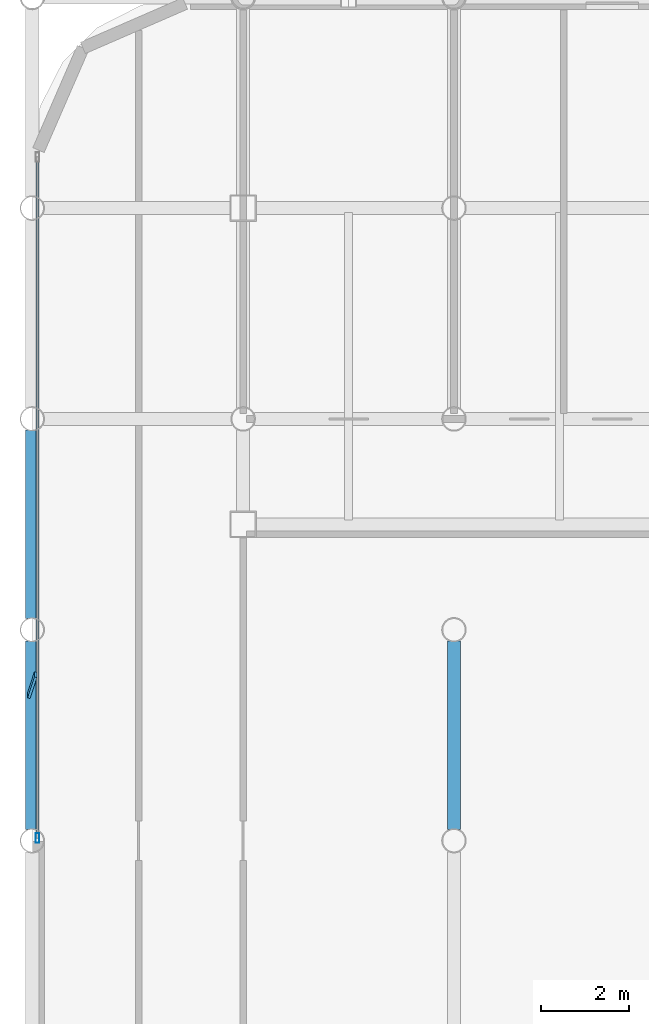
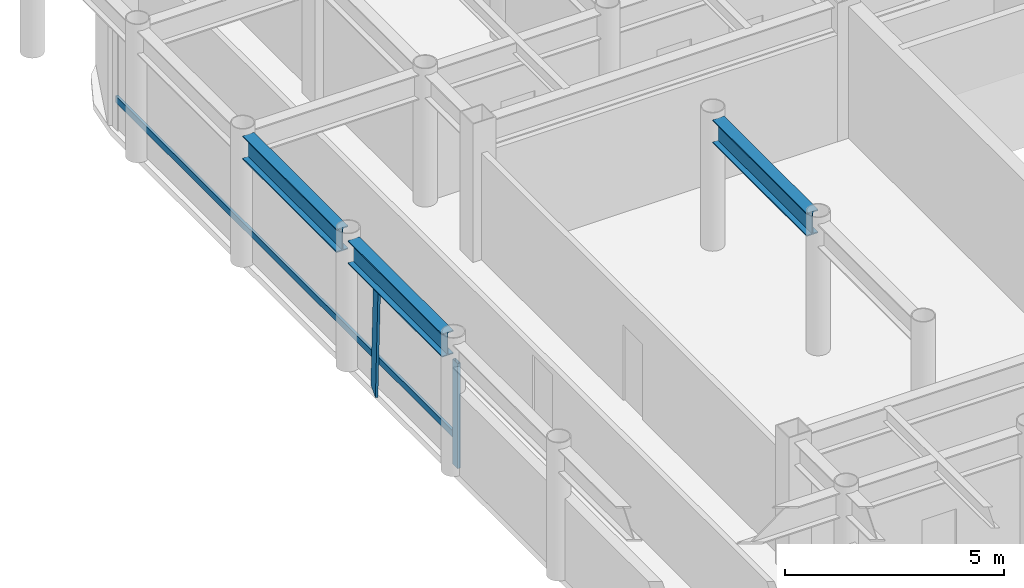
# One storey, part 6 of 23: 3 beams, 3 members, 1 element without a shape of its own.
"""IFC4 building model written with IfcOpenShell, lengths in metres."""

from ifc_helpers import new_model, si_unit, direction, frame, origin, origin_2d, place, context, subcontext, project, spatial, rectangle, hollow_rectangle, i_section, extrude, material, layer, layer_set, material_profile, profile_set, type_object, element, aggregate, save


model = new_model("IFC4")

# Units and contexts
model_context = context("Model", 3, precision=1e-05, world=origin(), true_north=direction((0.0, 1.0)))
body_context = subcontext(model_context, "Body", "Model", "MODEL_VIEW")
ifc_project = project(units=[si_unit("LENGTHUNIT", "METRE"), si_unit("AREAUNIT", "SQUARE_METRE"), si_unit("VOLUMEUNIT", "CUBIC_METRE"), si_unit("PLANEANGLEUNIT", "RADIAN"), si_unit("MASSUNIT", "GRAM", prefix="KILO")], contexts=[model_context])

# Site, building, storey
site_placement = place(None, origin())
site = spatial("IfcSite", under=ifc_project, at=site_placement, CompositionType="ELEMENT")
building_placement = place(site_placement, origin())
building = spatial("IfcBuilding", under=site, at=building_placement, Name="Kallvorn Hotel Tower", CompositionType="ELEMENT")
storey_placement = place(building_placement, frame((0.0, 0.0, 195.35009765625)))
storey = spatial("IfcBuildingStorey", under=building, at=storey_placement, Name="L48", CompositionType="ELEMENT", Elevation=195.35009765625)

# Beams
ifc_material_1 = material(Name="Structural steel S355JR", Category="steel")
ifc_material_profile_1 = material_profile(ifc_material_1, i_section(OverallWidth=0.300048828125, OverallDepth=0.64990234375, WebThickness=0.01611328125, FlangeThickness=0.031005859375, at=origin_2d()), Name="HE 650 B")
ifc_profile_set_1 = profile_set([ifc_material_profile_1], Name="Structural steel S355JR")
beam_type = type_object("IfcBeamType", Name="BM_HE650B", PredefinedType="BEAM", material=ifc_profile_set_1)
for number, where, z_axis, x_axis, name in (
    (1, (-28.800048828125, 0.25439453125, 3.344970703125), (0.0, 1.0, 0.0), (-1.0, 0.0, 0.0), "L49 Primary Y-Girder 77"),
    (2, (-28.800048828125, 5.054443359375, 3.344970703125), (0.0, 1.0, 0.0), (-1.0, 0.0, 0.0), "L49 Primary Y-Girder 78"),
    (3, (-19.199951171875, 0.25439453125, 3.344970703125), (0.0, 1.0, 0.0), (-1.0, 0.0, 0.0), "L49 Primary Y-Girder 93"),
):
    element("IfcBeam", number, at=place(storey_placement, frame(where, z_axis=z_axis, x_axis=x_axis)), inside=storey, type_object=beam_type, Name=name, PredefinedType="BEAM", context=body_context, shape_type="SweptSolid", body=[
        extrude(i_section(OverallWidth=0.300048828125, OverallDepth=0.64990234375, WebThickness=0.01611328125, FlangeThickness=0.031005859375, at=origin_2d()), origin(), (0.0, 0.0, 1.0), 4.291015625),
    ])

# Curtain wall, members
ifc_material_2 = material(Name="Thermally broken black-anodised aluminium AA 6063-T6", Category="aluminium")
ifc_layer = layer(ifc_material_2, 0.22998046875)
ifc_layer_set = layer_set([ifc_layer], Name="CW_SYS_5_HOTEL_HIGH")
curtain_wall_type = type_object("IfcCurtainWallType", Name="CW_SYS_5_HOTEL_HIGH", PredefinedType="USERDEFINED", material=ifc_layer_set)
curtain_wall_placement = place(storey_placement, origin())
curtain_wall = element("IfcCurtainWall", 4, at=curtain_wall_placement, inside=storey, type_object=curtain_wall_type, Name="L48 Dark-Glass Curtain Wall CW-L48-WN", ObjectType="UNITISED CURTAIN WALL", PredefinedType="USERDEFINED")
ifc_material_3 = material(Name="Thermally broken black-anodised aluminium AA 6063-T6", Category="aluminium")
ifc_material_profile_2 = material_profile(ifc_material_3, hollow_rectangle(XDim=0.080078125, YDim=0.219970703125, WallThickness=0.0048828125, at=origin_2d()), Name="MUL 220x80")
ifc_profile_set_2 = profile_set([ifc_material_profile_2], Name="Thermally broken black-anodised aluminium AA 6063-T6")
member_type_1 = type_object("IfcMemberType", Name="CW_MULLION_220x80", PredefinedType="MULLION", material=ifc_profile_set_2)
member_1_placement = place(storey_placement, frame((-28.679931640625, 0.06005859375, 0.02001953125), z_axis=(0.0, 0.0, 1.0), x_axis=(1.0, 0.0, 0.0)))
member_1 = element("IfcMember", 5, at=member_1_placement, type_object=member_type_1, Name="CW-L48-WN Mullion 00", PredefinedType="MULLION", context=body_context, shape_type="SweptSolid", body=[
    extrude(hollow_rectangle(XDim=0.080078125, YDim=0.219970703125, WallThickness=0.0048828125, at=origin_2d()), origin(), (0.0, 0.0, 1.0), 2.929931640625),
])
ifc_material_4 = material(Name="Thermally broken black-anodised aluminium AA 6063-T6", Category="aluminium")
ifc_material_profile_3 = material_profile(ifc_material_4, hollow_rectangle(XDim=0.070068359375, YDim=0.179931640625, WallThickness=0.00390625, at=origin_2d()), Name="TRN 180x70")
ifc_profile_set_3 = profile_set([ifc_material_profile_3], Name="Thermally broken black-anodised aluminium AA 6063-T6")
member_type_2 = type_object("IfcMemberType", Name="CW_TRANSOM_180x70", PredefinedType="USERDEFINED", material=ifc_profile_set_3)
member_2_placement = place(storey_placement, frame((-28.679931640625, 0.06005859375, 0.849853515625), z_axis=(0.0, 1.0, 0.0), x_axis=(-1.0, 0.0, 0.0)))
member_2 = element("IfcMember", 6, at=member_2_placement, type_object=member_type_2, Name="CW-L48-WN Transom 00M", ObjectType="TRANSOM", PredefinedType="USERDEFINED", context=body_context, shape_type="SweptSolid", body=[
    extrude(hollow_rectangle(XDim=0.070068359375, YDim=0.179931640625, WallThickness=0.00390625, at=origin_2d()), origin(), (0.0, 0.0, 1.0), 15.5),
])
aggregate(curtain_wall, [member_1, member_2])

# Member
ifc_material_5 = material(Name="Thermally broken black-anodised aluminium AA 6063-T6", Category="aluminium")
ifc_material_profile_4 = material_profile(ifc_material_5, rectangle(XDim=0.06005859375, YDim=0.5, at=origin_2d()), Name="FIN 500x60")
ifc_profile_set_4 = profile_set([ifc_material_profile_4], Name="Thermally broken black-anodised aluminium AA 6063-T6")
member_type_3 = type_object("IfcMemberType", Name="MBR_SUNSHADE_FIN", PredefinedType="USERDEFINED", material=ifc_profile_set_4)
member_3_placement = place(storey_placement, frame((-28.800048828125, 3.60009765625, 0.0), z_axis=(0.0, -0.039016348461, 0.99923857239), x_axis=(0.951056516295, -0.308781700304, -0.012056714733)))
element("IfcMember", 7, at=member_3_placement, inside=storey, type_object=member_type_3, Name="L48 Angled Vertical Sunshade Fin W1", ObjectType="SUNSHADE FIN", PredefinedType="USERDEFINED", context=body_context, shape_type="SweptSolid", body=[
    extrude(rectangle(XDim=0.06005859375, YDim=0.5, at=origin_2d()), origin(), (0.0, 0.0, 1.0), 3.022216796875),
])

save(model, "model.ifc")
